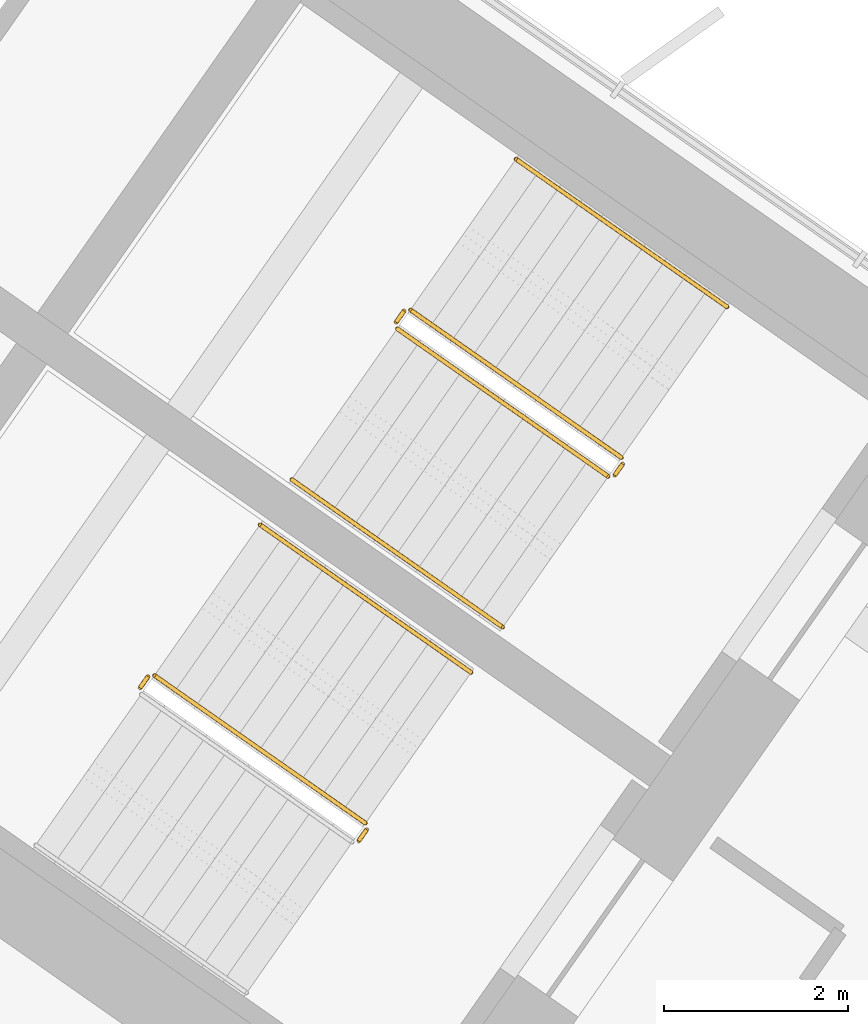
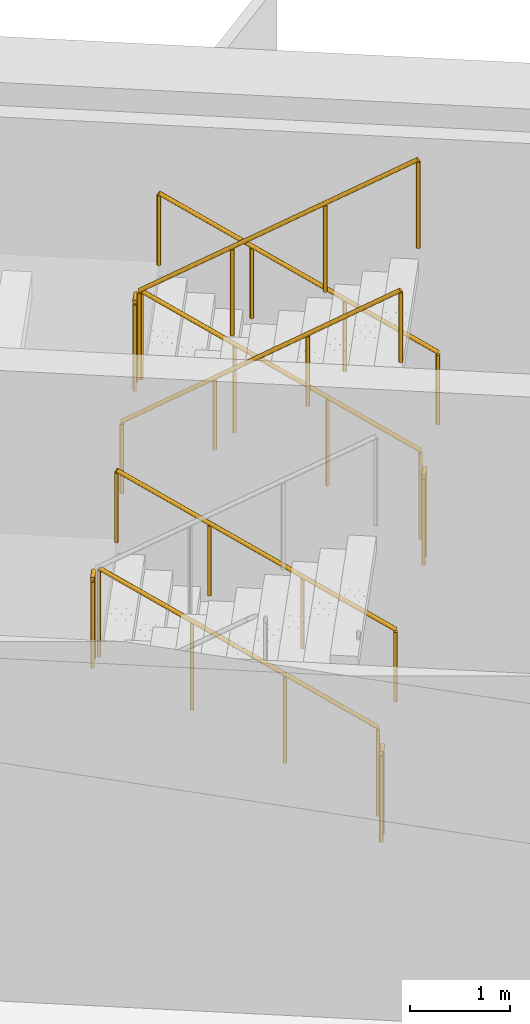
# One storey, part 20 of 21: 10 railings.
"""IFC4 building model written with IfcOpenShell, lengths in metres."""

from ifc_helpers import new_model, si_unit, direction, frame, origin, origin_2d, place, context, subcontext, project, spatial, circle, extrude, material, type_object, element, save


model = new_model("IFC4")

# Units and contexts
model_context = context("Model", 3, precision=1e-05, world=origin(), true_north=direction((0.0, 1.0)))
body_context = subcontext(model_context, "Body", "Model", "MODEL_VIEW")
ifc_project = project(units=[si_unit("LENGTHUNIT", "METRE"), si_unit("AREAUNIT", "SQUARE_METRE"), si_unit("VOLUMEUNIT", "CUBIC_METRE"), si_unit("PLANEANGLEUNIT", "RADIAN"), si_unit("MASSUNIT", "GRAM", prefix="KILO")], contexts=[model_context])

# Site, building, storey
site_placement = place(None, origin())
site = spatial("IfcSite", under=ifc_project, at=site_placement, CompositionType="ELEMENT")
building_placement = place(site_placement, origin())
building = spatial("IfcBuilding", under=site, at=building_placement, Name="Tel Ilan Convention Tower", CompositionType="ELEMENT")
storey_placement = place(building_placement, frame((0.0, 0.0, 155.39990234375)))
storey = spatial("IfcBuildingStorey", under=building, at=storey_placement, Name="L35", CompositionType="ELEMENT", Elevation=155.39990234375)

# Railings
ifc_material_1 = material(Name="Stainless Steel Grade 316", Category="steel")
railing_type_1 = type_object("IfcRailingType", Name="Stainless Steel Stair Guard 1100 mm", PredefinedType="GUARDRAIL", material=ifc_material_1)
railing_1_placement = place(storey_placement, frame((23.6787109375, -7.8515625, 0.177490234375)))
element("IfcRailing", 1, at=railing_1_placement, inside=storey, type_object=railing_type_1, Name="L35 S3 stair guard 1", PredefinedType="GUARDRAIL", context=body_context, shape_type="SweptSolid", body=[
    extrude(circle(Radius=0.02392578125, at=origin_2d()), frame((0.0, 0.0, 1.076171875), z_axis=(-0.692084706163, 0.484621375041, 0.534940073605), x_axis=(-0.573591086599, -0.819141785879, 0.0)), (0.0, 0.0, 1.0), 3.313720703125),
    extrude(circle(Radius=0.02099609375, at=origin_2d()), origin(), (0.0, 0.0, 1.0), 1.052001953125),
    extrude(circle(Radius=0.02099609375, at=origin_2d()), frame((-0.764404296875, 0.535400390625, 0.5908203125)), (0.0, 0.0, 1.0), 1.052001953125),
    extrude(circle(Radius=0.02099609375, at=origin_2d()), frame((-1.529052734375, 1.070556640625, 1.181884765625)), (0.0, 0.0, 1.0), 1.052001953125),
    extrude(circle(Radius=0.02099609375, at=origin_2d()), frame((-2.29345703125, 1.60595703125, 1.772705078125)), (0.0, 0.0, 1.0), 1.052001953125),
])
railing_2_placement = place(storey_placement, frame((21.3154296875, -6.2578125, 1.9501953125)))
element("IfcRailing", 2, at=railing_2_placement, inside=storey, type_object=railing_type_1, Name="L35 S3 stair guard 2", PredefinedType="GUARDRAIL", context=body_context, shape_type="SweptSolid", body=[
    extrude(circle(Radius=0.02392578125, at=origin_2d()), frame((0.0, 0.0, 1.076171875), z_axis=(-0.573353020881, -0.819308436089, 0.0), x_axis=(0.819308436089, -0.573353020881, 0.0)), (0.0, 0.0, 1.0), 0.14990234375),
    extrude(circle(Radius=0.02099609375, at=origin_2d()), origin(), (0.0, 0.0, 1.0), 1.052001953125),
    extrude(circle(Radius=0.02099609375, at=origin_2d()), frame((-0.0859375, -0.122802734375, 0.0)), (0.0, 0.0, 1.0), 1.052001953125),
])
railing_3_placement = place(storey_placement, frame((21.24169921875, -6.4501953125, 2.12744140625)))
element("IfcRailing", 3, at=railing_3_placement, inside=storey, type_object=railing_type_1, Name="L35 S3 stair guard 3", PredefinedType="GUARDRAIL", context=body_context, shape_type="SweptSolid", body=[
    extrude(circle(Radius=0.02392578125, at=origin_2d()), frame((0.0, 0.0, 1.076171875), z_axis=(0.692098378994, -0.484653031975, 0.534893701956), x_axis=(0.573608623498, 0.819129505664, 0.0)), (0.0, 0.0, 1.0), 3.314208984375),
    extrude(circle(Radius=0.02099609375, at=origin_2d()), origin(), (0.0, 0.0, 1.0), 1.052001953125),
    extrude(circle(Radius=0.02099609375, at=origin_2d()), frame((0.7646484375, -0.535400390625, 0.5908203125)), (0.0, 0.0, 1.0), 1.052001953125),
    extrude(circle(Radius=0.02099609375, at=origin_2d()), frame((1.529052734375, -1.07080078125, 1.181884765625)), (0.0, 0.0, 1.0), 1.052001953125),
    extrude(circle(Radius=0.02099609375, at=origin_2d()), frame((2.293701171875, -1.606201171875, 1.772705078125)), (0.0, 0.0, 1.0), 1.052001953125),
])
railing_4_placement = place(storey_placement, frame((23.691162109375, -7.921142578125, 0.0)))
element("IfcRailing", 4, at=railing_4_placement, inside=storey, type_object=railing_type_1, Name="L35 S3 stair guard 4", PredefinedType="GUARDRAIL", context=body_context, shape_type="SweptSolid", body=[
    extrude(circle(Radius=0.02392578125, at=origin_2d()), frame((0.0, 0.0, 1.076171875), z_axis=(-0.574444878118, -0.818543268254, 0.0), x_axis=(0.818543268254, -0.574444878118, 0.0)), (0.0, 0.0, 1.0), 0.150146484375),
    extrude(circle(Radius=0.02099609375, at=origin_2d()), origin(), (0.0, 0.0, 1.0), 1.052001953125),
    extrude(circle(Radius=0.02099609375, at=origin_2d()), frame((-0.086181640625, -0.122802734375, 0.0)), (0.0, 0.0, 1.0), 1.052001953125),
])
railing_5_placement = place(storey_placement, frame((20.89697265625, -11.824462890625, 0.177490234375)))
element("IfcRailing", 5, at=railing_5_placement, inside=storey, type_object=railing_type_1, Name="L35 S4 stair guard 1", PredefinedType="GUARDRAIL", context=body_context, shape_type="SweptSolid", body=[
    extrude(circle(Radius=0.02392578125, at=origin_2d()), frame((0.0, 0.0, 1.076171875), z_axis=(-0.692123088272, 0.484596665743, 0.534912798717), x_axis=(-0.573550118428, -0.819170471667, 0.0)), (0.0, 0.0, 1.0), 3.31396484375),
    extrude(circle(Radius=0.02099609375, at=origin_2d()), origin(), (0.0, 0.0, 1.0), 1.052001953125),
    extrude(circle(Radius=0.02099609375, at=origin_2d()), frame((-0.7646484375, 0.535400390625, 0.5908203125)), (0.0, 0.0, 1.0), 1.052001953125),
    extrude(circle(Radius=0.02099609375, at=origin_2d()), frame((-1.529052734375, 1.070556640625, 1.181884765625)), (0.0, 0.0, 1.0), 1.052001953125),
    extrude(circle(Radius=0.02099609375, at=origin_2d()), frame((-2.293701171875, 1.60595703125, 1.772705078125)), (0.0, 0.0, 1.0), 1.052001953125),
])
for number, where, name in (
    (6, (18.53369140625, -10.230712890625, 1.9501953125), "L35 S4 stair guard 2"),
    (7, (20.9091796875, -11.89404296875, 0.0), "L35 S4 stair guard 4"),
):
    element("IfcRailing", number, at=place(storey_placement, frame(where)), inside=storey, type_object=railing_type_1, Name=name, PredefinedType="GUARDRAIL", context=body_context, shape_type="SweptSolid", body=[
        extrude(circle(Radius=0.02392578125, at=origin_2d()), frame((0.0, 0.0, 1.076171875), z_axis=(-0.573353020881, -0.819308436089, 0.0), x_axis=(0.819308436089, -0.573353020881, 0.0)), (0.0, 0.0, 1.0), 0.14990234375),
        extrude(circle(Radius=0.02099609375, at=origin_2d()), origin(), (0.0, 0.0, 1.0), 1.052001953125),
        extrude(circle(Radius=0.02099609375, at=origin_2d()), frame((-0.0859375, -0.122802734375, 0.0)), (0.0, 0.0, 1.0), 1.052001953125),
    ])
ifc_material_2 = material(Name="Stainless Steel Grade 316", Category="steel")
railing_type_2 = type_object("IfcRailingType", Name="Stainless Steel Stair Handrail 900 mm", PredefinedType="HANDRAIL", material=ifc_material_2)
railing_6_placement = place(storey_placement, frame((24.825927734375, -6.213134765625, 0.177490234375)))
element("IfcRailing", 8, at=railing_6_placement, inside=storey, type_object=railing_type_2, Name="L35 S3 stair handrail 1", PredefinedType="HANDRAIL", context=body_context, shape_type="SweptSolid", body=[
    extrude(circle(Radius=0.02392578125, at=origin_2d()), frame((0.0, 0.0, 0.8759765625), z_axis=(-0.692123088272, 0.484596665743, 0.534912798717), x_axis=(-0.573550118428, -0.819170471667, 0.0)), (0.0, 0.0, 1.0), 3.31396484375),
    extrude(circle(Radius=0.02099609375, at=origin_2d()), origin(), (0.0, 0.0, 1.0), 0.851806640625),
    extrude(circle(Radius=0.02099609375, at=origin_2d()), frame((-0.7646484375, 0.535400390625, 0.5908203125)), (0.0, 0.0, 1.0), 0.851806640625),
    extrude(circle(Radius=0.02099609375, at=origin_2d()), frame((-1.529052734375, 1.070556640625, 1.181884765625)), (0.0, 0.0, 1.0), 0.851806640625),
    extrude(circle(Radius=0.02099609375, at=origin_2d()), frame((-2.293701171875, 1.60595703125, 1.772705078125)), (0.0, 0.0, 1.0), 0.851806640625),
])
railing_7_placement = place(storey_placement, frame((20.0947265625, -8.088623046875, 2.12744140625)))
element("IfcRailing", 9, at=railing_7_placement, inside=storey, type_object=railing_type_2, Name="L35 S3 stair handrail 2", PredefinedType="HANDRAIL", context=body_context, shape_type="SweptSolid", body=[
    extrude(circle(Radius=0.02392578125, at=origin_2d()), frame((0.0, 0.0, 0.8759765625), z_axis=(0.692084706163, -0.484621375041, 0.534940073605), x_axis=(0.573591086599, 0.819141785879, 0.0)), (0.0, 0.0, 1.0), 3.313720703125),
    extrude(circle(Radius=0.02099609375, at=origin_2d()), origin(), (0.0, 0.0, 1.0), 0.851806640625),
    extrude(circle(Radius=0.02099609375, at=origin_2d()), frame((0.764404296875, -0.535400390625, 0.5908203125)), (0.0, 0.0, 1.0), 0.851806640625),
    extrude(circle(Radius=0.02099609375, at=origin_2d()), frame((1.529052734375, -1.070556640625, 1.181884765625)), (0.0, 0.0, 1.0), 0.851806640625),
    extrude(circle(Radius=0.02099609375, at=origin_2d()), frame((2.29345703125, -1.60595703125, 1.772705078125)), (0.0, 0.0, 1.0), 0.851806640625),
])
railing_8_placement = place(storey_placement, frame((22.044189453125, -10.18603515625, 0.177490234375)))
element("IfcRailing", 10, at=railing_8_placement, inside=storey, type_object=railing_type_2, Name="L35 S4 stair handrail 1", PredefinedType="HANDRAIL", context=body_context, shape_type="SweptSolid", body=[
    extrude(circle(Radius=0.02392578125, at=origin_2d()), frame((0.0, 0.0, 0.8759765625), z_axis=(-0.692123088272, 0.484596665743, 0.534912798717), x_axis=(-0.573550118428, -0.819170471667, 0.0)), (0.0, 0.0, 1.0), 3.31396484375),
    extrude(circle(Radius=0.02099609375, at=origin_2d()), origin(), (0.0, 0.0, 1.0), 0.851806640625),
    extrude(circle(Radius=0.02099609375, at=origin_2d()), frame((-0.7646484375, 0.535400390625, 0.5908203125)), (0.0, 0.0, 1.0), 0.851806640625),
    extrude(circle(Radius=0.02099609375, at=origin_2d()), frame((-1.529052734375, 1.070556640625, 1.181884765625)), (0.0, 0.0, 1.0), 0.851806640625),
    extrude(circle(Radius=0.02099609375, at=origin_2d()), frame((-2.293701171875, 1.60595703125, 1.772705078125)), (0.0, 0.0, 1.0), 0.851806640625),
])

save(model, "model.ifc")
